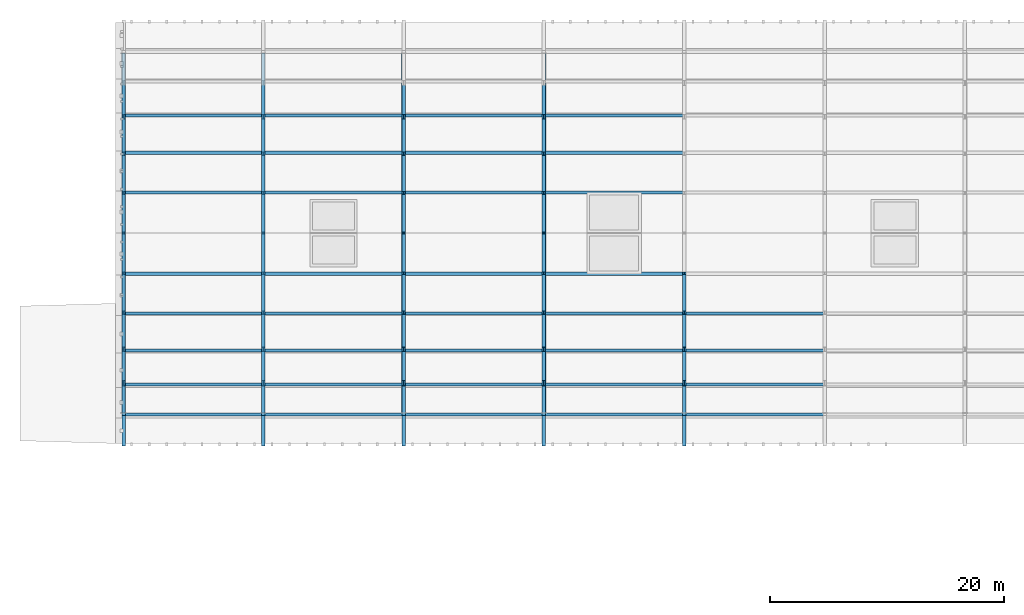
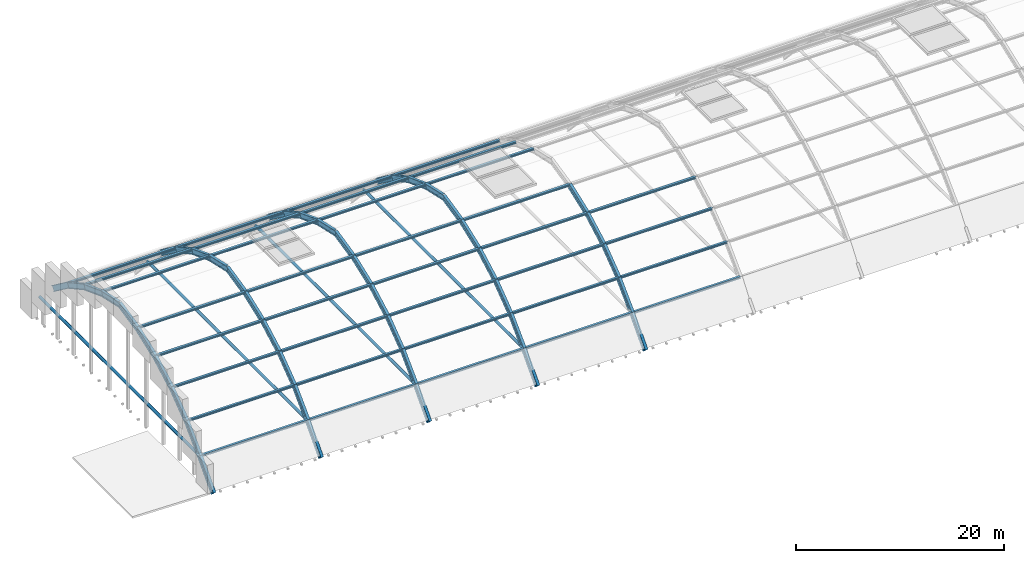
# One storey, part 5 of 35: 81 beams, 4 members.
"""IFC4 building model written with IfcOpenShell, lengths in metres."""

from ifc_helpers import new_model, si_unit, direction, frame, origin, origin_2d, place, context, subcontext, project, spatial, hollow_circle, i_section, extrude, material, material_profile, profile_set, type_object, element, save


model = new_model("IFC4")

# Units and contexts
model_context = context("Model", 3, precision=1e-05, world=origin(), true_north=direction((0.0, 1.0)))
body_context = subcontext(model_context, "Body", "Model", "MODEL_VIEW")
ifc_project = project(units=[si_unit("LENGTHUNIT", "METRE"), si_unit("AREAUNIT", "SQUARE_METRE"), si_unit("VOLUMEUNIT", "CUBIC_METRE"), si_unit("PLANEANGLEUNIT", "RADIAN"), si_unit("MASSUNIT", "GRAM", prefix="KILO")], contexts=[model_context])

# Site, building, storey
site_placement = place(None, origin())
site = spatial("IfcSite", under=ifc_project, at=site_placement, CompositionType="ELEMENT")
building_placement = place(site_placement, origin())
building = spatial("IfcBuilding", under=site, at=building_placement, Name="Zlatogorsky Bluff Art Gallery", CompositionType="ELEMENT")
storey_placement = place(building_placement, frame((0.0, 0.0, 23.39990234375)))
storey = spatial("IfcBuildingStorey", under=building, at=storey_placement, Name="L04", CompositionType="ELEMENT", Elevation=23.39990234375)

# Beams
ifc_material = material(Name="Steel S355", Category="steel")
ifc_material_profile_1 = material_profile(ifc_material, i_section(OverallWidth=0.260009765625, OverallDepth=0.25, WebThickness=0.007568359375, FlangeThickness=0.012451171875, FilletRadius=0.02392578125, at=origin_2d()), Name="HEA 260")
ifc_profile_set_1 = profile_set([ifc_material_profile_1], Name="Steel S355")
beam_type_1 = type_object("IfcBeamType", Name="Beam PR-01 HEA 260", PredefinedType="BEAM", material=ifc_profile_set_1)
for number, where, z_axis, x_axis, name in (
    (1, (0.06494140625, 86.495361328125, 2.688720703125), (1.0, 0.0, 0.0), (0.0, 1.0, 0.0), "Barrel vault longitudinal purlin bay 1 node 1"),
    (2, (0.06494140625, 89.05810546875, 5.247802734375), (1.0, 0.0, 0.0), (0.0, 1.0, 0.0), "Barrel vault longitudinal purlin bay 1 node 2"),
    (3, (0.06494140625, 91.9560546875, 7.419921875), (1.0, 0.0, 0.0), (0.0, 1.0, 0.0), "Barrel vault longitudinal purlin bay 1 node 3"),
    (4, (0.06494140625, 95.131591796875, 9.16162109375), (1.0, 0.0, 0.0), (0.0, 1.0, 0.0), "Barrel vault longitudinal purlin bay 1 node 4"),
    (5, (0.06494140625, 98.520751953125, 10.438232421875), (1.0, 0.0, 0.0), (0.0, 1.0, 0.0), "Barrel vault longitudinal purlin bay 1 node 5"),
    (6, (0.06494140625, 105.479248046875, 10.438232421875), (1.0, 0.0, 0.0), (0.0, 1.0, 0.0), "Barrel vault longitudinal purlin bay 1 node 7"),
    (7, (0.06494140625, 108.868408203125, 9.16162109375), (1.0, 0.0, 0.0), (0.0, 1.0, 0.0), "Barrel vault longitudinal purlin bay 1 node 8"),
    (8, (0.06494140625, 112.0439453125, 7.419921875), (1.0, 0.0, 0.0), (0.0, 1.0, 0.0), "Barrel vault longitudinal purlin bay 1 node 9"),
):
    element("IfcBeam", number, at=place(storey_placement, frame(where, z_axis=z_axis, x_axis=x_axis)), inside=storey, type_object=beam_type_1, Name=name, PredefinedType="BEAM", context=body_context, shape_type="SweptSolid", body=[
        extrude(i_section(OverallWidth=0.260009765625, OverallDepth=0.25, WebThickness=0.007568359375, FlangeThickness=0.012451171875, FilletRadius=0.02392578125, at=origin_2d()), origin(), (0.0, 0.0, 1.0), 11.920166015625),
    ])
for number, where, z_axis, x_axis, name in (
    (9, (12.014892578125, 86.495361328125, 2.688720703125), (1.0, 0.0, 0.0), (0.0, 1.0, 0.0), "Barrel vault longitudinal purlin bay 2 node 1"),
    (10, (12.014892578125, 89.05810546875, 5.247802734375), (1.0, 0.0, 0.0), (0.0, 1.0, 0.0), "Barrel vault longitudinal purlin bay 2 node 2"),
    (11, (12.014892578125, 91.9560546875, 7.419921875), (1.0, 0.0, 0.0), (0.0, 1.0, 0.0), "Barrel vault longitudinal purlin bay 2 node 3"),
    (12, (12.014892578125, 95.131591796875, 9.16162109375), (1.0, 0.0, 0.0), (0.0, 1.0, 0.0), "Barrel vault longitudinal purlin bay 2 node 4"),
    (13, (12.014892578125, 98.520751953125, 10.438232421875), (1.0, 0.0, 0.0), (0.0, 1.0, 0.0), "Barrel vault longitudinal purlin bay 2 node 5"),
    (14, (12.014892578125, 105.479248046875, 10.438232421875), (1.0, 0.0, 0.0), (0.0, 1.0, 0.0), "Barrel vault longitudinal purlin bay 2 node 7"),
    (15, (12.014892578125, 108.868408203125, 9.16162109375), (1.0, 0.0, 0.0), (0.0, 1.0, 0.0), "Barrel vault longitudinal purlin bay 2 node 8"),
    (16, (12.014892578125, 112.0439453125, 7.419921875), (1.0, 0.0, 0.0), (0.0, 1.0, 0.0), "Barrel vault longitudinal purlin bay 2 node 9"),
    (17, (24.014892578125, 86.495361328125, 2.688720703125), (1.0, 0.0, 0.0), (0.0, 1.0, 0.0), "Barrel vault longitudinal purlin bay 3 node 1"),
    (18, (24.014892578125, 89.05810546875, 5.247802734375), (1.0, 0.0, 0.0), (0.0, 1.0, 0.0), "Barrel vault longitudinal purlin bay 3 node 2"),
    (19, (24.014892578125, 91.9560546875, 7.419921875), (1.0, 0.0, 0.0), (0.0, 1.0, 0.0), "Barrel vault longitudinal purlin bay 3 node 3"),
    (20, (24.014892578125, 95.131591796875, 9.16162109375), (1.0, 0.0, 0.0), (0.0, 1.0, 0.0), "Barrel vault longitudinal purlin bay 3 node 4"),
    (21, (24.014892578125, 98.520751953125, 10.438232421875), (1.0, 0.0, 0.0), (0.0, 1.0, 0.0), "Barrel vault longitudinal purlin bay 3 node 5"),
    (22, (24.014892578125, 105.479248046875, 10.438232421875), (1.0, 0.0, 0.0), (0.0, 1.0, 0.0), "Barrel vault longitudinal purlin bay 3 node 7"),
    (23, (24.014892578125, 108.868408203125, 9.16162109375), (1.0, 0.0, 0.0), (0.0, 1.0, 0.0), "Barrel vault longitudinal purlin bay 3 node 8"),
    (24, (24.014892578125, 112.0439453125, 7.419921875), (1.0, 0.0, 0.0), (0.0, 1.0, 0.0), "Barrel vault longitudinal purlin bay 3 node 9"),
    (25, (36.014892578125, 86.495361328125, 2.688720703125), (1.0, 0.0, 0.0), (0.0, 1.0, 0.0), "Barrel vault longitudinal purlin bay 4 node 1"),
    (26, (36.014892578125, 89.05810546875, 5.247802734375), (1.0, 0.0, 0.0), (0.0, 1.0, 0.0), "Barrel vault longitudinal purlin bay 4 node 2"),
    (27, (36.014892578125, 91.9560546875, 7.419921875), (1.0, 0.0, 0.0), (0.0, 1.0, 0.0), "Barrel vault longitudinal purlin bay 4 node 3"),
    (28, (36.014892578125, 95.131591796875, 9.16162109375), (1.0, 0.0, 0.0), (0.0, 1.0, 0.0), "Barrel vault longitudinal purlin bay 4 node 4"),
    (29, (36.014892578125, 98.520751953125, 10.438232421875), (1.0, 0.0, 0.0), (0.0, 1.0, 0.0), "Barrel vault longitudinal purlin bay 4 node 5"),
    (30, (36.014892578125, 105.479248046875, 10.438232421875), (1.0, 0.0, 0.0), (0.0, 1.0, 0.0), "Barrel vault longitudinal purlin bay 4 node 7"),
    (31, (36.014892578125, 108.868408203125, 9.16162109375), (1.0, 0.0, 0.0), (0.0, 1.0, 0.0), "Barrel vault longitudinal purlin bay 4 node 8"),
    (32, (36.014892578125, 112.0439453125, 7.419921875), (1.0, 0.0, 0.0), (0.0, 1.0, 0.0), "Barrel vault longitudinal purlin bay 4 node 9"),
    (33, (48.014892578125, 86.495361328125, 2.688720703125), (1.0, 0.0, 0.0), (0.0, 1.0, 0.0), "Barrel vault longitudinal purlin bay 5 node 1"),
    (34, (48.014892578125, 89.05810546875, 5.247802734375), (1.0, 0.0, 0.0), (0.0, 1.0, 0.0), "Barrel vault longitudinal purlin bay 5 node 2"),
    (35, (48.014892578125, 91.9560546875, 7.419921875), (1.0, 0.0, 0.0), (0.0, 1.0, 0.0), "Barrel vault longitudinal purlin bay 5 node 3"),
    (36, (48.014892578125, 95.131591796875, 9.16162109375), (1.0, 0.0, 0.0), (0.0, 1.0, 0.0), "Barrel vault longitudinal purlin bay 5 node 4"),
):
    element("IfcBeam", number, at=place(storey_placement, frame(where, z_axis=z_axis, x_axis=x_axis)), inside=storey, type_object=beam_type_1, Name=name, PredefinedType="BEAM", context=body_context, shape_type="SweptSolid", body=[
        extrude(i_section(OverallWidth=0.260009765625, OverallDepth=0.25, WebThickness=0.007568359375, FlangeThickness=0.012451171875, FilletRadius=0.02392578125, at=origin_2d()), origin(), (0.0, 0.0, 1.0), 11.97021484375),
    ])
ifc_material_profile_2 = material_profile(ifc_material, i_section(OverallWidth=0.300048828125, OverallDepth=0.64990234375, WebThickness=0.01611328125, FlangeThickness=0.031005859375, FilletRadius=0.027099609375, at=origin_2d()), Name="HEB 650")
ifc_profile_set_2 = profile_set([ifc_material_profile_2], Name="Steel S355")
beam_type_2 = type_object("IfcBeamType", Name="Beam VR-01 HEB 650", PredefinedType="BEAM", material=ifc_profile_set_2)
beam_1_placement = place(storey_placement, frame((0.050048828125, 84.02001953125, -0.25), z_axis=(0.0, 0.677448622917, 0.735570094082), x_axis=(-1.0, 0.0, 0.0)))
element("IfcBeam", 37, at=beam_1_placement, inside=storey, type_object=beam_type_2, Name="Barrel vault pointed arch rib VR-01 A.1", PredefinedType="BEAM", context=body_context, shape_type="SweptSolid", body=[
    extrude(i_section(OverallWidth=0.300048828125, OverallDepth=0.64990234375, WebThickness=0.01611328125, FlangeThickness=0.031005859375, FilletRadius=0.027099609375, at=origin_2d()), origin(), (0.0, 0.0, 1.0), 3.843505859375),
])
beam_2_placement = place(storey_placement, frame((0.050048828125, 86.623779296875, 2.5771484375), z_axis=(0.0, 0.707615576313, 0.706597619696), x_axis=(-1.0, 0.0, 0.0)))
element("IfcBeam", 38, at=beam_2_placement, inside=storey, type_object=beam_type_2, Name="Barrel vault pointed arch rib VR-01 A.2", PredefinedType="BEAM", context=body_context, shape_type="SweptSolid", body=[
    extrude(i_section(OverallWidth=0.300048828125, OverallDepth=0.64990234375, WebThickness=0.01611328125, FlangeThickness=0.031005859375, FilletRadius=0.027099609375, at=origin_2d()), origin(), (0.0, 0.0, 1.0), 3.597412109375),
])
beam_3_placement = place(storey_placement, frame((0.050048828125, 89.16943359375, 5.119140625), z_axis=(0.0, 0.800195391986, 0.599739388939), x_axis=(-1.0, 0.0, 0.0)))
element("IfcBeam", 39, at=beam_3_placement, inside=storey, type_object=beam_type_2, Name="Barrel vault pointed arch rib VR-01 A.3", PredefinedType="BEAM", context=body_context, shape_type="SweptSolid", body=[
    extrude(i_section(OverallWidth=0.300048828125, OverallDepth=0.64990234375, WebThickness=0.01611328125, FlangeThickness=0.031005859375, FilletRadius=0.027099609375, at=origin_2d()), origin(), (0.0, 0.0, 1.0), 3.59765625),
])
beam_4_placement = place(storey_placement, frame((0.050048828125, 92.04833984375, 7.27685546875), z_axis=(0.0, 0.876744100789, 0.480957151659), x_axis=(-1.0, 0.0, 0.0)))
element("IfcBeam", 40, at=beam_4_placement, inside=storey, type_object=beam_type_2, Name="Barrel vault pointed arch rib VR-01 A.4", PredefinedType="BEAM", context=body_context, shape_type="SweptSolid", body=[
    extrude(i_section(OverallWidth=0.300048828125, OverallDepth=0.64990234375, WebThickness=0.01611328125, FlangeThickness=0.031005859375, FilletRadius=0.027099609375, at=origin_2d()), origin(), (0.0, 0.0, 1.0), 3.597412109375),
])
beam_5_placement = place(storey_placement, frame((0.050048828125, 95.202392578125, 9.007080078125), z_axis=(0.0, 0.935806673687, 0.352513644392), x_axis=(-1.0, 0.0, 0.0)))
element("IfcBeam", 41, at=beam_5_placement, inside=storey, type_object=beam_type_2, Name="Barrel vault pointed arch rib VR-01 A.5", PredefinedType="BEAM", context=body_context, shape_type="SweptSolid", body=[
    extrude(i_section(OverallWidth=0.300048828125, OverallDepth=0.64990234375, WebThickness=0.01611328125, FlangeThickness=0.031005859375, FilletRadius=0.027099609375, at=origin_2d()), origin(), (0.0, 0.0, 1.0), 3.597900390625),
])
for number, where, z_axis, x_axis, name in (
    (42, (0.050048828125, 98.5693359375, 10.275390625), (0.0, 0.97544148317, 0.220258740827), (-1.0, 0.0, 0.0), "Barrel vault pointed arch rib VR-01 A.6"),
    (43, (0.050048828125, 102.0, 11.050048828125), (0.0, 0.97544148317, -0.220258740827), (-1.0, 0.0, 0.0), "Barrel vault pointed arch rib VR-01 A.7"),
):
    element("IfcBeam", number, at=place(storey_placement, frame(where, z_axis=z_axis, x_axis=x_axis)), inside=storey, type_object=beam_type_2, Name=name, PredefinedType="BEAM", context=body_context, shape_type="SweptSolid", body=[
        extrude(i_section(OverallWidth=0.300048828125, OverallDepth=0.64990234375, WebThickness=0.01611328125, FlangeThickness=0.031005859375, FilletRadius=0.027099609375, at=origin_2d()), origin(), (0.0, 0.0, 1.0), 3.51708984375),
    ])
beam_6_placement = place(storey_placement, frame((0.050048828125, 105.4306640625, 10.275390625), z_axis=(0.0, 0.935806673687, -0.352513644392), x_axis=(-1.0, 0.0, 0.0)))
element("IfcBeam", 44, at=beam_6_placement, inside=storey, type_object=beam_type_2, Name="Barrel vault pointed arch rib VR-01 A.8", PredefinedType="BEAM", context=body_context, shape_type="SweptSolid", body=[
    extrude(i_section(OverallWidth=0.300048828125, OverallDepth=0.64990234375, WebThickness=0.01611328125, FlangeThickness=0.031005859375, FilletRadius=0.027099609375, at=origin_2d()), origin(), (0.0, 0.0, 1.0), 3.597900390625),
])
beam_7_placement = place(storey_placement, frame((0.050048828125, 108.797607421875, 9.007080078125), z_axis=(0.0, 0.876744100789, -0.480957151659), x_axis=(-1.0, 0.0, 0.0)))
element("IfcBeam", 45, at=beam_7_placement, inside=storey, type_object=beam_type_2, Name="Barrel vault pointed arch rib VR-01 A.9", PredefinedType="BEAM", context=body_context, shape_type="SweptSolid", body=[
    extrude(i_section(OverallWidth=0.300048828125, OverallDepth=0.64990234375, WebThickness=0.01611328125, FlangeThickness=0.031005859375, FilletRadius=0.027099609375, at=origin_2d()), origin(), (0.0, 0.0, 1.0), 3.597412109375),
])
beam_8_placement = place(storey_placement, frame((0.050048828125, 111.95166015625, 7.27685546875), z_axis=(0.0, 0.800195391986, -0.599739388939), x_axis=(-1.0, 0.0, 0.0)))
element("IfcBeam", 46, at=beam_8_placement, inside=storey, type_object=beam_type_2, Name="Barrel vault pointed arch rib VR-01 A.10", PredefinedType="BEAM", context=body_context, shape_type="SweptSolid", body=[
    extrude(i_section(OverallWidth=0.300048828125, OverallDepth=0.64990234375, WebThickness=0.01611328125, FlangeThickness=0.031005859375, FilletRadius=0.027099609375, at=origin_2d()), origin(), (0.0, 0.0, 1.0), 3.59765625),
])
beam_9_placement = place(storey_placement, frame((12.0, 84.02001953125, -0.25), z_axis=(0.0, 0.677448622917, 0.735570094082), x_axis=(-1.0, 0.0, 0.0)))
element("IfcBeam", 47, at=beam_9_placement, inside=storey, type_object=beam_type_2, Name="Barrel vault pointed arch rib VR-01 B.1", PredefinedType="BEAM", context=body_context, shape_type="SweptSolid", body=[
    extrude(i_section(OverallWidth=0.300048828125, OverallDepth=0.64990234375, WebThickness=0.01611328125, FlangeThickness=0.031005859375, FilletRadius=0.027099609375, at=origin_2d()), origin(), (0.0, 0.0, 1.0), 3.843505859375),
])
beam_10_placement = place(storey_placement, frame((12.0, 86.623779296875, 2.5771484375), z_axis=(0.0, 0.707615576313, 0.706597619696), x_axis=(-1.0, 0.0, 0.0)))
element("IfcBeam", 48, at=beam_10_placement, inside=storey, type_object=beam_type_2, Name="Barrel vault pointed arch rib VR-01 B.2", PredefinedType="BEAM", context=body_context, shape_type="SweptSolid", body=[
    extrude(i_section(OverallWidth=0.300048828125, OverallDepth=0.64990234375, WebThickness=0.01611328125, FlangeThickness=0.031005859375, FilletRadius=0.027099609375, at=origin_2d()), origin(), (0.0, 0.0, 1.0), 3.597412109375),
])
beam_11_placement = place(storey_placement, frame((12.0, 89.16943359375, 5.119140625), z_axis=(0.0, 0.800195391986, 0.599739388939), x_axis=(-1.0, 0.0, 0.0)))
element("IfcBeam", 49, at=beam_11_placement, inside=storey, type_object=beam_type_2, Name="Barrel vault pointed arch rib VR-01 B.3", PredefinedType="BEAM", context=body_context, shape_type="SweptSolid", body=[
    extrude(i_section(OverallWidth=0.300048828125, OverallDepth=0.64990234375, WebThickness=0.01611328125, FlangeThickness=0.031005859375, FilletRadius=0.027099609375, at=origin_2d()), origin(), (0.0, 0.0, 1.0), 3.59765625),
])
beam_12_placement = place(storey_placement, frame((12.0, 92.04833984375, 7.27685546875), z_axis=(0.0, 0.876744100789, 0.480957151659), x_axis=(-1.0, 0.0, 0.0)))
element("IfcBeam", 50, at=beam_12_placement, inside=storey, type_object=beam_type_2, Name="Barrel vault pointed arch rib VR-01 B.4", PredefinedType="BEAM", context=body_context, shape_type="SweptSolid", body=[
    extrude(i_section(OverallWidth=0.300048828125, OverallDepth=0.64990234375, WebThickness=0.01611328125, FlangeThickness=0.031005859375, FilletRadius=0.027099609375, at=origin_2d()), origin(), (0.0, 0.0, 1.0), 3.597412109375),
])
beam_13_placement = place(storey_placement, frame((12.0, 95.202392578125, 9.007080078125), z_axis=(0.0, 0.935806673687, 0.352513644392), x_axis=(-1.0, 0.0, 0.0)))
element("IfcBeam", 51, at=beam_13_placement, inside=storey, type_object=beam_type_2, Name="Barrel vault pointed arch rib VR-01 B.5", PredefinedType="BEAM", context=body_context, shape_type="SweptSolid", body=[
    extrude(i_section(OverallWidth=0.300048828125, OverallDepth=0.64990234375, WebThickness=0.01611328125, FlangeThickness=0.031005859375, FilletRadius=0.027099609375, at=origin_2d()), origin(), (0.0, 0.0, 1.0), 3.597900390625),
])
for number, where, z_axis, x_axis, name in (
    (52, (12.0, 98.5693359375, 10.275390625), (0.0, 0.97544148317, 0.220258740827), (-1.0, 0.0, 0.0), "Barrel vault pointed arch rib VR-01 B.6"),
    (53, (12.0, 102.0, 11.050048828125), (0.0, 0.97544148317, -0.220258740827), (-1.0, 0.0, 0.0), "Barrel vault pointed arch rib VR-01 B.7"),
):
    element("IfcBeam", number, at=place(storey_placement, frame(where, z_axis=z_axis, x_axis=x_axis)), inside=storey, type_object=beam_type_2, Name=name, PredefinedType="BEAM", context=body_context, shape_type="SweptSolid", body=[
        extrude(i_section(OverallWidth=0.300048828125, OverallDepth=0.64990234375, WebThickness=0.01611328125, FlangeThickness=0.031005859375, FilletRadius=0.027099609375, at=origin_2d()), origin(), (0.0, 0.0, 1.0), 3.51708984375),
    ])
beam_14_placement = place(storey_placement, frame((12.0, 105.4306640625, 10.275390625), z_axis=(0.0, 0.935806673687, -0.352513644392), x_axis=(-1.0, 0.0, 0.0)))
element("IfcBeam", 54, at=beam_14_placement, inside=storey, type_object=beam_type_2, Name="Barrel vault pointed arch rib VR-01 B.8", PredefinedType="BEAM", context=body_context, shape_type="SweptSolid", body=[
    extrude(i_section(OverallWidth=0.300048828125, OverallDepth=0.64990234375, WebThickness=0.01611328125, FlangeThickness=0.031005859375, FilletRadius=0.027099609375, at=origin_2d()), origin(), (0.0, 0.0, 1.0), 3.597900390625),
])
beam_15_placement = place(storey_placement, frame((12.0, 108.797607421875, 9.007080078125), z_axis=(0.0, 0.876744100789, -0.480957151659), x_axis=(-1.0, 0.0, 0.0)))
element("IfcBeam", 55, at=beam_15_placement, inside=storey, type_object=beam_type_2, Name="Barrel vault pointed arch rib VR-01 B.9", PredefinedType="BEAM", context=body_context, shape_type="SweptSolid", body=[
    extrude(i_section(OverallWidth=0.300048828125, OverallDepth=0.64990234375, WebThickness=0.01611328125, FlangeThickness=0.031005859375, FilletRadius=0.027099609375, at=origin_2d()), origin(), (0.0, 0.0, 1.0), 3.597412109375),
])
beam_16_placement = place(storey_placement, frame((12.0, 111.95166015625, 7.27685546875), z_axis=(0.0, 0.800195391986, -0.599739388939), x_axis=(-1.0, 0.0, 0.0)))
element("IfcBeam", 56, at=beam_16_placement, inside=storey, type_object=beam_type_2, Name="Barrel vault pointed arch rib VR-01 B.10", PredefinedType="BEAM", context=body_context, shape_type="SweptSolid", body=[
    extrude(i_section(OverallWidth=0.300048828125, OverallDepth=0.64990234375, WebThickness=0.01611328125, FlangeThickness=0.031005859375, FilletRadius=0.027099609375, at=origin_2d()), origin(), (0.0, 0.0, 1.0), 3.59765625),
])
beam_17_placement = place(storey_placement, frame((24.0, 84.02001953125, -0.25), z_axis=(0.0, 0.677448622917, 0.735570094082), x_axis=(-1.0, 0.0, 0.0)))
element("IfcBeam", 57, at=beam_17_placement, inside=storey, type_object=beam_type_2, Name="Barrel vault pointed arch rib VR-01 C.1", PredefinedType="BEAM", context=body_context, shape_type="SweptSolid", body=[
    extrude(i_section(OverallWidth=0.300048828125, OverallDepth=0.64990234375, WebThickness=0.01611328125, FlangeThickness=0.031005859375, FilletRadius=0.027099609375, at=origin_2d()), origin(), (0.0, 0.0, 1.0), 3.843505859375),
])
beam_18_placement = place(storey_placement, frame((24.0, 86.623779296875, 2.5771484375), z_axis=(0.0, 0.707615576313, 0.706597619696), x_axis=(-1.0, 0.0, 0.0)))
element("IfcBeam", 58, at=beam_18_placement, inside=storey, type_object=beam_type_2, Name="Barrel vault pointed arch rib VR-01 C.2", PredefinedType="BEAM", context=body_context, shape_type="SweptSolid", body=[
    extrude(i_section(OverallWidth=0.300048828125, OverallDepth=0.64990234375, WebThickness=0.01611328125, FlangeThickness=0.031005859375, FilletRadius=0.027099609375, at=origin_2d()), origin(), (0.0, 0.0, 1.0), 3.597412109375),
])
beam_19_placement = place(storey_placement, frame((24.0, 89.16943359375, 5.119140625), z_axis=(0.0, 0.800195391986, 0.599739388939), x_axis=(-1.0, 0.0, 0.0)))
element("IfcBeam", 59, at=beam_19_placement, inside=storey, type_object=beam_type_2, Name="Barrel vault pointed arch rib VR-01 C.3", PredefinedType="BEAM", context=body_context, shape_type="SweptSolid", body=[
    extrude(i_section(OverallWidth=0.300048828125, OverallDepth=0.64990234375, WebThickness=0.01611328125, FlangeThickness=0.031005859375, FilletRadius=0.027099609375, at=origin_2d()), origin(), (0.0, 0.0, 1.0), 3.59765625),
])
beam_20_placement = place(storey_placement, frame((24.0, 92.04833984375, 7.27685546875), z_axis=(0.0, 0.876744100789, 0.480957151659), x_axis=(-1.0, 0.0, 0.0)))
element("IfcBeam", 60, at=beam_20_placement, inside=storey, type_object=beam_type_2, Name="Barrel vault pointed arch rib VR-01 C.4", PredefinedType="BEAM", context=body_context, shape_type="SweptSolid", body=[
    extrude(i_section(OverallWidth=0.300048828125, OverallDepth=0.64990234375, WebThickness=0.01611328125, FlangeThickness=0.031005859375, FilletRadius=0.027099609375, at=origin_2d()), origin(), (0.0, 0.0, 1.0), 3.597412109375),
])
beam_21_placement = place(storey_placement, frame((24.0, 95.202392578125, 9.007080078125), z_axis=(0.0, 0.935806673687, 0.352513644392), x_axis=(-1.0, 0.0, 0.0)))
element("IfcBeam", 61, at=beam_21_placement, inside=storey, type_object=beam_type_2, Name="Barrel vault pointed arch rib VR-01 C.5", PredefinedType="BEAM", context=body_context, shape_type="SweptSolid", body=[
    extrude(i_section(OverallWidth=0.300048828125, OverallDepth=0.64990234375, WebThickness=0.01611328125, FlangeThickness=0.031005859375, FilletRadius=0.027099609375, at=origin_2d()), origin(), (0.0, 0.0, 1.0), 3.597900390625),
])
for number, where, z_axis, x_axis, name in (
    (62, (24.0, 98.5693359375, 10.275390625), (0.0, 0.97544148317, 0.220258740827), (-1.0, 0.0, 0.0), "Barrel vault pointed arch rib VR-01 C.6"),
    (63, (24.0, 102.0, 11.050048828125), (0.0, 0.97544148317, -0.220258740827), (-1.0, 0.0, 0.0), "Barrel vault pointed arch rib VR-01 C.7"),
):
    element("IfcBeam", number, at=place(storey_placement, frame(where, z_axis=z_axis, x_axis=x_axis)), inside=storey, type_object=beam_type_2, Name=name, PredefinedType="BEAM", context=body_context, shape_type="SweptSolid", body=[
        extrude(i_section(OverallWidth=0.300048828125, OverallDepth=0.64990234375, WebThickness=0.01611328125, FlangeThickness=0.031005859375, FilletRadius=0.027099609375, at=origin_2d()), origin(), (0.0, 0.0, 1.0), 3.51708984375),
    ])
beam_22_placement = place(storey_placement, frame((24.0, 105.4306640625, 10.275390625), z_axis=(0.0, 0.935806673687, -0.352513644392), x_axis=(-1.0, 0.0, 0.0)))
element("IfcBeam", 64, at=beam_22_placement, inside=storey, type_object=beam_type_2, Name="Barrel vault pointed arch rib VR-01 C.8", PredefinedType="BEAM", context=body_context, shape_type="SweptSolid", body=[
    extrude(i_section(OverallWidth=0.300048828125, OverallDepth=0.64990234375, WebThickness=0.01611328125, FlangeThickness=0.031005859375, FilletRadius=0.027099609375, at=origin_2d()), origin(), (0.0, 0.0, 1.0), 3.597900390625),
])
beam_23_placement = place(storey_placement, frame((24.0, 108.797607421875, 9.007080078125), z_axis=(0.0, 0.876744100789, -0.480957151659), x_axis=(-1.0, 0.0, 0.0)))
element("IfcBeam", 65, at=beam_23_placement, inside=storey, type_object=beam_type_2, Name="Barrel vault pointed arch rib VR-01 C.9", PredefinedType="BEAM", context=body_context, shape_type="SweptSolid", body=[
    extrude(i_section(OverallWidth=0.300048828125, OverallDepth=0.64990234375, WebThickness=0.01611328125, FlangeThickness=0.031005859375, FilletRadius=0.027099609375, at=origin_2d()), origin(), (0.0, 0.0, 1.0), 3.597412109375),
])
beam_24_placement = place(storey_placement, frame((24.0, 111.95166015625, 7.27685546875), z_axis=(0.0, 0.800195391986, -0.599739388939), x_axis=(-1.0, 0.0, 0.0)))
element("IfcBeam", 66, at=beam_24_placement, inside=storey, type_object=beam_type_2, Name="Barrel vault pointed arch rib VR-01 C.10", PredefinedType="BEAM", context=body_context, shape_type="SweptSolid", body=[
    extrude(i_section(OverallWidth=0.300048828125, OverallDepth=0.64990234375, WebThickness=0.01611328125, FlangeThickness=0.031005859375, FilletRadius=0.027099609375, at=origin_2d()), origin(), (0.0, 0.0, 1.0), 3.59765625),
])
beam_25_placement = place(storey_placement, frame((36.0, 84.02001953125, -0.25), z_axis=(0.0, 0.677448622917, 0.735570094082), x_axis=(-1.0, 0.0, 0.0)))
element("IfcBeam", 67, at=beam_25_placement, inside=storey, type_object=beam_type_2, Name="Barrel vault pointed arch rib VR-01 D.1", PredefinedType="BEAM", context=body_context, shape_type="SweptSolid", body=[
    extrude(i_section(OverallWidth=0.300048828125, OverallDepth=0.64990234375, WebThickness=0.01611328125, FlangeThickness=0.031005859375, FilletRadius=0.027099609375, at=origin_2d()), origin(), (0.0, 0.0, 1.0), 3.843505859375),
])
beam_26_placement = place(storey_placement, frame((36.0, 86.623779296875, 2.5771484375), z_axis=(0.0, 0.707615576313, 0.706597619696), x_axis=(-1.0, 0.0, 0.0)))
element("IfcBeam", 68, at=beam_26_placement, inside=storey, type_object=beam_type_2, Name="Barrel vault pointed arch rib VR-01 D.2", PredefinedType="BEAM", context=body_context, shape_type="SweptSolid", body=[
    extrude(i_section(OverallWidth=0.300048828125, OverallDepth=0.64990234375, WebThickness=0.01611328125, FlangeThickness=0.031005859375, FilletRadius=0.027099609375, at=origin_2d()), origin(), (0.0, 0.0, 1.0), 3.597412109375),
])
beam_27_placement = place(storey_placement, frame((36.0, 89.16943359375, 5.119140625), z_axis=(0.0, 0.800195391986, 0.599739388939), x_axis=(-1.0, 0.0, 0.0)))
element("IfcBeam", 69, at=beam_27_placement, inside=storey, type_object=beam_type_2, Name="Barrel vault pointed arch rib VR-01 D.3", PredefinedType="BEAM", context=body_context, shape_type="SweptSolid", body=[
    extrude(i_section(OverallWidth=0.300048828125, OverallDepth=0.64990234375, WebThickness=0.01611328125, FlangeThickness=0.031005859375, FilletRadius=0.027099609375, at=origin_2d()), origin(), (0.0, 0.0, 1.0), 3.59765625),
])
beam_28_placement = place(storey_placement, frame((36.0, 92.04833984375, 7.27685546875), z_axis=(0.0, 0.876744100789, 0.480957151659), x_axis=(-1.0, 0.0, 0.0)))
element("IfcBeam", 70, at=beam_28_placement, inside=storey, type_object=beam_type_2, Name="Barrel vault pointed arch rib VR-01 D.4", PredefinedType="BEAM", context=body_context, shape_type="SweptSolid", body=[
    extrude(i_section(OverallWidth=0.300048828125, OverallDepth=0.64990234375, WebThickness=0.01611328125, FlangeThickness=0.031005859375, FilletRadius=0.027099609375, at=origin_2d()), origin(), (0.0, 0.0, 1.0), 3.597412109375),
])
beam_29_placement = place(storey_placement, frame((36.0, 95.202392578125, 9.007080078125), z_axis=(0.0, 0.935806673687, 0.352513644392), x_axis=(-1.0, 0.0, 0.0)))
element("IfcBeam", 71, at=beam_29_placement, inside=storey, type_object=beam_type_2, Name="Barrel vault pointed arch rib VR-01 D.5", PredefinedType="BEAM", context=body_context, shape_type="SweptSolid", body=[
    extrude(i_section(OverallWidth=0.300048828125, OverallDepth=0.64990234375, WebThickness=0.01611328125, FlangeThickness=0.031005859375, FilletRadius=0.027099609375, at=origin_2d()), origin(), (0.0, 0.0, 1.0), 3.597900390625),
])
for number, where, z_axis, x_axis, name in (
    (72, (36.0, 98.5693359375, 10.275390625), (0.0, 0.97544148317, 0.220258740827), (-1.0, 0.0, 0.0), "Barrel vault pointed arch rib VR-01 D.6"),
    (73, (36.0, 102.0, 11.050048828125), (0.0, 0.97544148317, -0.220258740827), (-1.0, 0.0, 0.0), "Barrel vault pointed arch rib VR-01 D.7"),
):
    element("IfcBeam", number, at=place(storey_placement, frame(where, z_axis=z_axis, x_axis=x_axis)), inside=storey, type_object=beam_type_2, Name=name, PredefinedType="BEAM", context=body_context, shape_type="SweptSolid", body=[
        extrude(i_section(OverallWidth=0.300048828125, OverallDepth=0.64990234375, WebThickness=0.01611328125, FlangeThickness=0.031005859375, FilletRadius=0.027099609375, at=origin_2d()), origin(), (0.0, 0.0, 1.0), 3.51708984375),
    ])
beam_30_placement = place(storey_placement, frame((36.0, 105.4306640625, 10.275390625), z_axis=(0.0, 0.935806673687, -0.352513644392), x_axis=(-1.0, 0.0, 0.0)))
element("IfcBeam", 74, at=beam_30_placement, inside=storey, type_object=beam_type_2, Name="Barrel vault pointed arch rib VR-01 D.8", PredefinedType="BEAM", context=body_context, shape_type="SweptSolid", body=[
    extrude(i_section(OverallWidth=0.300048828125, OverallDepth=0.64990234375, WebThickness=0.01611328125, FlangeThickness=0.031005859375, FilletRadius=0.027099609375, at=origin_2d()), origin(), (0.0, 0.0, 1.0), 3.597900390625),
])
beam_31_placement = place(storey_placement, frame((36.0, 108.797607421875, 9.007080078125), z_axis=(0.0, 0.876744100789, -0.480957151659), x_axis=(-1.0, 0.0, 0.0)))
element("IfcBeam", 75, at=beam_31_placement, inside=storey, type_object=beam_type_2, Name="Barrel vault pointed arch rib VR-01 D.9", PredefinedType="BEAM", context=body_context, shape_type="SweptSolid", body=[
    extrude(i_section(OverallWidth=0.300048828125, OverallDepth=0.64990234375, WebThickness=0.01611328125, FlangeThickness=0.031005859375, FilletRadius=0.027099609375, at=origin_2d()), origin(), (0.0, 0.0, 1.0), 3.597412109375),
])
beam_32_placement = place(storey_placement, frame((36.0, 111.95166015625, 7.27685546875), z_axis=(0.0, 0.800195391986, -0.599739388939), x_axis=(-1.0, 0.0, 0.0)))
element("IfcBeam", 76, at=beam_32_placement, inside=storey, type_object=beam_type_2, Name="Barrel vault pointed arch rib VR-01 D.10", PredefinedType="BEAM", context=body_context, shape_type="SweptSolid", body=[
    extrude(i_section(OverallWidth=0.300048828125, OverallDepth=0.64990234375, WebThickness=0.01611328125, FlangeThickness=0.031005859375, FilletRadius=0.027099609375, at=origin_2d()), origin(), (0.0, 0.0, 1.0), 3.59765625),
])
beam_33_placement = place(storey_placement, frame((48.0, 84.02001953125, -0.25), z_axis=(0.0, 0.677448622917, 0.735570094082), x_axis=(-1.0, 0.0, 0.0)))
element("IfcBeam", 77, at=beam_33_placement, inside=storey, type_object=beam_type_2, Name="Barrel vault pointed arch rib VR-01 E.1", PredefinedType="BEAM", context=body_context, shape_type="SweptSolid", body=[
    extrude(i_section(OverallWidth=0.300048828125, OverallDepth=0.64990234375, WebThickness=0.01611328125, FlangeThickness=0.031005859375, FilletRadius=0.027099609375, at=origin_2d()), origin(), (0.0, 0.0, 1.0), 3.843505859375),
])
beam_34_placement = place(storey_placement, frame((48.0, 86.623779296875, 2.5771484375), z_axis=(0.0, 0.707615576313, 0.706597619696), x_axis=(-1.0, 0.0, 0.0)))
element("IfcBeam", 78, at=beam_34_placement, inside=storey, type_object=beam_type_2, Name="Barrel vault pointed arch rib VR-01 E.2", PredefinedType="BEAM", context=body_context, shape_type="SweptSolid", body=[
    extrude(i_section(OverallWidth=0.300048828125, OverallDepth=0.64990234375, WebThickness=0.01611328125, FlangeThickness=0.031005859375, FilletRadius=0.027099609375, at=origin_2d()), origin(), (0.0, 0.0, 1.0), 3.597412109375),
])
beam_35_placement = place(storey_placement, frame((48.0, 89.16943359375, 5.119140625), z_axis=(0.0, 0.800195391986, 0.599739388939), x_axis=(-1.0, 0.0, 0.0)))
element("IfcBeam", 79, at=beam_35_placement, inside=storey, type_object=beam_type_2, Name="Barrel vault pointed arch rib VR-01 E.3", PredefinedType="BEAM", context=body_context, shape_type="SweptSolid", body=[
    extrude(i_section(OverallWidth=0.300048828125, OverallDepth=0.64990234375, WebThickness=0.01611328125, FlangeThickness=0.031005859375, FilletRadius=0.027099609375, at=origin_2d()), origin(), (0.0, 0.0, 1.0), 3.59765625),
])
beam_36_placement = place(storey_placement, frame((48.0, 92.04833984375, 7.27685546875), z_axis=(0.0, 0.876744100789, 0.480957151659), x_axis=(-1.0, 0.0, 0.0)))
element("IfcBeam", 80, at=beam_36_placement, inside=storey, type_object=beam_type_2, Name="Barrel vault pointed arch rib VR-01 E.4", PredefinedType="BEAM", context=body_context, shape_type="SweptSolid", body=[
    extrude(i_section(OverallWidth=0.300048828125, OverallDepth=0.64990234375, WebThickness=0.01611328125, FlangeThickness=0.031005859375, FilletRadius=0.027099609375, at=origin_2d()), origin(), (0.0, 0.0, 1.0), 3.597412109375),
])
beam_37_placement = place(storey_placement, frame((48.0, 95.202392578125, 9.007080078125), z_axis=(0.0, 0.935806673687, 0.352513644392), x_axis=(-1.0, 0.0, 0.0)))
element("IfcBeam", 81, at=beam_37_placement, inside=storey, type_object=beam_type_2, Name="Barrel vault pointed arch rib VR-01 E.5", PredefinedType="BEAM", context=body_context, shape_type="SweptSolid", body=[
    extrude(i_section(OverallWidth=0.300048828125, OverallDepth=0.64990234375, WebThickness=0.01611328125, FlangeThickness=0.031005859375, FilletRadius=0.027099609375, at=origin_2d()), origin(), (0.0, 0.0, 1.0), 3.597900390625),
])

# Members
ifc_material_profile_3 = material_profile(ifc_material, hollow_circle(Radius=0.161865234375, WallThickness=0.01611328125, at=origin_2d()), Name="CHS 323.9x16")
ifc_profile_set_3 = profile_set([ifc_material_profile_3], Name="Steel S355")
member_type = type_object("IfcMemberType", Name="Member VT-01 CHS 323.9x16", PredefinedType="STRUT", material=ifc_profile_set_3)
for number, where, z_axis, x_axis, name in (
    (82, (0.050048828125, 86.623779296875, 2.5771484375), (0.0, 1.0, 0.0), (-1.0, 0.0, 0.0), "Barrel vault springing tension tie VT-01 Grid A"),
    (83, (12.0, 86.623779296875, 2.5771484375), (0.0, 1.0, 0.0), (-1.0, 0.0, 0.0), "Barrel vault springing tension tie VT-01 Grid B"),
    (84, (24.0, 86.623779296875, 2.5771484375), (0.0, 1.0, 0.0), (-1.0, 0.0, 0.0), "Barrel vault springing tension tie VT-01 Grid C"),
    (85, (36.0, 86.623779296875, 2.5771484375), (0.0, 1.0, 0.0), (-1.0, 0.0, 0.0), "Barrel vault springing tension tie VT-01 Grid D"),
):
    element("IfcMember", number, at=place(storey_placement, frame(where, z_axis=z_axis, x_axis=x_axis)), inside=storey, type_object=member_type, Name=name, PredefinedType="STRUT", context=body_context, shape_type="SweptSolid", body=[
        extrude(hollow_circle(Radius=0.161865234375, WallThickness=0.01611328125, at=origin_2d()), origin(), (0.0, 0.0, 1.0), 30.75244140625),
    ])

save(model, "model.ifc")
